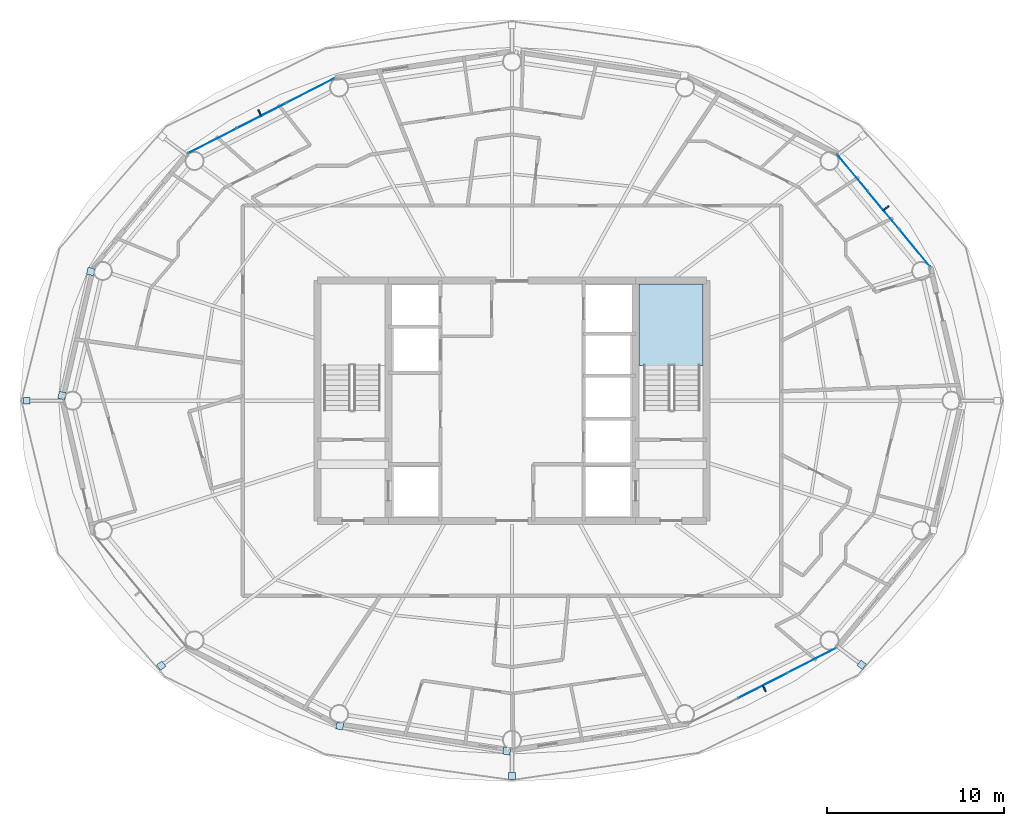
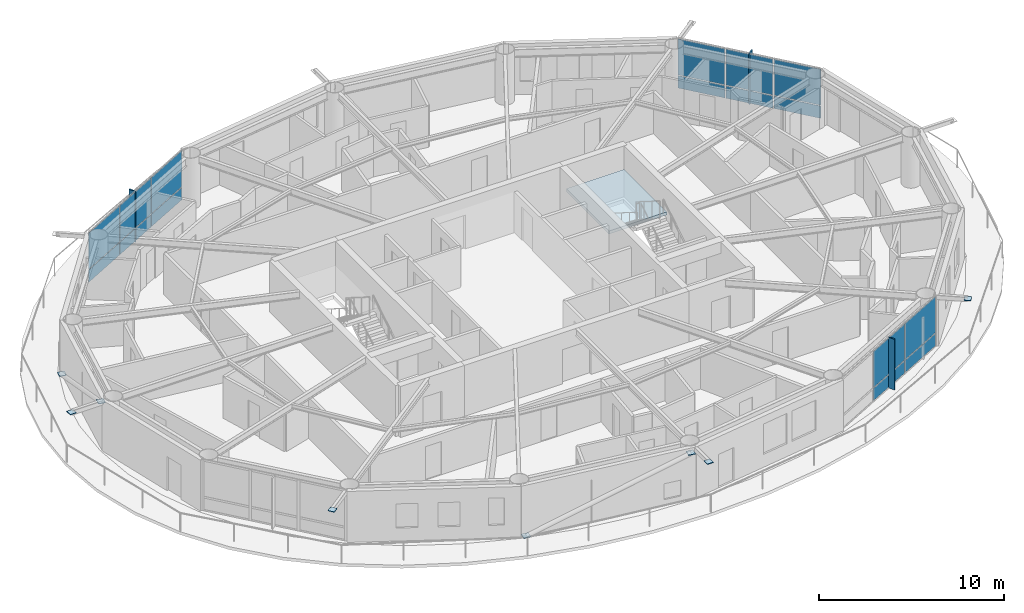
# One storey, part 14 of 23: 27 plates, 1 slab, 4 elements without a shape of their own.
"""IFC4 building model written with IfcOpenShell, lengths in metres."""

from ifc_helpers import new_model, si_unit, direction, frame, origin, origin_2d, place, context, subcontext, project, spatial, polyline, rectangle, outline, extrude, material, layer, layer_set, type_object, element, aggregate, save


model = new_model("IFC4")

# Units and contexts
model_context = context("Model", 3, precision=1e-05, world=origin(), true_north=direction((0.0, 1.0)))
body_context = subcontext(model_context, "Body", "Model", "MODEL_VIEW")
ifc_project = project(units=[si_unit("LENGTHUNIT", "METRE"), si_unit("AREAUNIT", "SQUARE_METRE"), si_unit("VOLUMEUNIT", "CUBIC_METRE"), si_unit("PLANEANGLEUNIT", "RADIAN"), si_unit("MASSUNIT", "GRAM", prefix="KILO")], contexts=[model_context])

# Site, building, storey
site_placement = place(None, origin())
site = spatial("IfcSite", under=ifc_project, at=site_placement, CompositionType="ELEMENT")
building_placement = place(site_placement, origin())
building = spatial("IfcBuilding", under=site, at=building_placement, Name="Sarneth Arch Tower", CompositionType="ELEMENT")
storey_placement = place(building_placement, frame((0.0, 0.0, 235.199951171875)))
storey = spatial("IfcBuildingStorey", under=building, at=storey_placement, Name="L60", CompositionType="ELEMENT", Elevation=235.199951171875)

# Curtain wall, plates
ifc_material_1 = material(Name="Anodised aluminium Type AA25 and solar-control low-e laminated IGU", Category="aluminium")
ifc_layer_1 = layer(ifc_material_1, 0.179931640625)
ifc_layer_set_1 = layer_set([ifc_layer_1], Name="Anodised aluminium Type AA25 and solar-control low-e laminated IGU")
curtain_wall_type = type_object("IfcCurtainWallType", Name="CW-RES-HIGH", PredefinedType="NOTDEFINED", material=ifc_layer_set_1)
curtain_wall_1_placement = place(storey_placement, origin())
curtain_wall_1 = element("IfcCurtainWall", 1, at=curtain_wall_1_placement, inside=storey, type_object=curtain_wall_type, Name="L60 Unitised curtain wall facet 02", PredefinedType="NOTDEFINED")
ifc_material_2 = material(Name="Solar-control low-e laminated IGU", Category="glass")
ifc_layer_2 = layer(ifc_material_2, 0.028076171875)
ifc_layer_set_2 = layer_set([ifc_layer_2], Name="Solar-control low-e laminated IGU")
plate_type_1 = type_object("IfcPlateType", Name="CW-PANEL", PredefinedType="CURTAIN_PANEL", material=ifc_layer_set_2)
plate_1_placement = place(storey_placement, frame((70.799072265625, 50.650634765625, 0.06005859375), z_axis=(0.0, 0.0, 1.0), x_axis=(-0.637610094184, 0.770359245933, 0.0)))
plate_1 = element("IfcPlate", 2, at=plate_1_placement, type_object=plate_type_1, Name="Curtain wall glazed vision pane CW-L60-F02/P00-00", PredefinedType="CURTAIN_PANEL", context=body_context, shape_type="SweptSolid", body=[
    extrude(rectangle(XDim=2.686767578125, YDim=0.028076171875, at=origin_2d()), origin(), (0.0, 0.0, 1.0), 0.81005859375),
])
plate_2_placement = place(storey_placement, frame((70.799072265625, 50.650634765625, 0.929931640625), z_axis=(0.0, 0.0, 1.0), x_axis=(-0.637610094184, 0.770359245933, 0.0)))
plate_2 = element("IfcPlate", 3, at=plate_2_placement, type_object=plate_type_1, Name="Curtain wall glazed vision pane CW-L60-F02/P00-01", PredefinedType="CURTAIN_PANEL", context=body_context, shape_type="SweptSolid", body=[
    extrude(rectangle(XDim=2.686767578125, YDim=0.028076171875, at=origin_2d()), origin(), (0.0, 0.0, 1.0), 2.3701171875),
])
plate_3_placement = place(storey_placement, frame((69.0380859375, 52.778076171875, 0.06005859375), z_axis=(0.0, 0.0, 1.0), x_axis=(-0.637610094184, 0.770359245933, 0.0)))
plate_3 = element("IfcPlate", 4, at=plate_3_placement, type_object=plate_type_1, Name="Curtain wall glazed vision pane CW-L60-F02/P01-00", PredefinedType="CURTAIN_PANEL", context=body_context, shape_type="SweptSolid", body=[
    extrude(rectangle(XDim=2.716552734375, YDim=0.028076171875, at=origin_2d()), origin(), (0.0, 0.0, 1.0), 0.81005859375),
])
plate_4_placement = place(storey_placement, frame((69.0380859375, 52.778076171875, 0.929931640625), z_axis=(0.0, 0.0, 1.0), x_axis=(-0.637610094184, 0.770359245933, 0.0)))
plate_4 = element("IfcPlate", 5, at=plate_4_placement, type_object=plate_type_1, Name="Curtain wall glazed vision pane CW-L60-F02/P01-01", PredefinedType="CURTAIN_PANEL", context=body_context, shape_type="SweptSolid", body=[
    extrude(rectangle(XDim=2.716552734375, YDim=0.028076171875, at=origin_2d()), origin(), (0.0, 0.0, 1.0), 2.3701171875),
])
plate_5_placement = place(storey_placement, frame((67.27734375, 54.905517578125, 0.06005859375), z_axis=(0.0, 0.0, 1.0), x_axis=(-0.637610094184, 0.770359245933, 0.0)))
plate_5 = element("IfcPlate", 6, at=plate_5_placement, type_object=plate_type_1, Name="Curtain wall glazed vision pane CW-L60-F02/P02-00", PredefinedType="CURTAIN_PANEL", context=body_context, shape_type="SweptSolid", body=[
    extrude(rectangle(XDim=2.686767578125, YDim=0.028076171875, at=origin_2d()), origin(), (0.0, 0.0, 1.0), 0.81005859375),
])
plate_6_placement = place(storey_placement, frame((67.27734375, 54.905517578125, 0.929931640625), z_axis=(0.0, 0.0, 1.0), x_axis=(-0.637610094184, 0.770359245933, 0.0)))
plate_6 = element("IfcPlate", 7, at=plate_6_placement, type_object=plate_type_1, Name="Curtain wall glazed vision pane CW-L60-F02/P02-01", PredefinedType="CURTAIN_PANEL", context=body_context, shape_type="SweptSolid", body=[
    extrude(rectangle(XDim=2.686767578125, YDim=0.028076171875, at=origin_2d()), origin(), (0.0, 0.0, 1.0), 2.3701171875),
])
aggregate(curtain_wall_1, [plate_1, plate_2, plate_3, plate_4, plate_5, plate_6])

curtain_wall_2_placement = place(storey_placement, origin())
curtain_wall_2 = element("IfcCurtainWall", 8, at=curtain_wall_2_placement, inside=storey, type_object=curtain_wall_type, Name="L60 Unitised curtain wall facet 06", PredefinedType="NOTDEFINED")
plate_7_placement = place(storey_placement, frame((36.5791015625, 59.552978515625, 0.06005859375), z_axis=(0.0, 0.0, 1.0), x_axis=(-0.890009540525, -0.455941901753, 0.0)))
plate_7 = element("IfcPlate", 9, at=plate_7_placement, type_object=plate_type_1, Name="Curtain wall glazed vision pane CW-L60-F06/P00-00", PredefinedType="CURTAIN_PANEL", context=body_context, shape_type="SweptSolid", body=[
    extrude(rectangle(XDim=3.044677734375, YDim=0.028076171875, at=origin_2d()), origin(), (0.0, 0.0, 1.0), 0.81005859375),
])
plate_8_placement = place(storey_placement, frame((36.5791015625, 59.552978515625, 0.929931640625), z_axis=(0.0, 0.0, 1.0), x_axis=(-0.890009540525, -0.455941901753, 0.0)))
plate_8 = element("IfcPlate", 10, at=plate_8_placement, type_object=plate_type_1, Name="Curtain wall glazed vision pane CW-L60-F06/P00-01", PredefinedType="CURTAIN_PANEL", context=body_context, shape_type="SweptSolid", body=[
    extrude(rectangle(XDim=3.044677734375, YDim=0.028076171875, at=origin_2d()), origin(), (0.0, 0.0, 1.0), 2.3701171875),
])
plate_9_placement = place(storey_placement, frame((33.802490234375, 58.13037109375, 0.06005859375), z_axis=(0.0, 0.0, 1.0), x_axis=(-0.890009540525, -0.455941901753, 0.0)))
plate_9 = element("IfcPlate", 11, at=plate_9_placement, type_object=plate_type_1, Name="Curtain wall glazed vision pane CW-L60-F06/P01-00", PredefinedType="CURTAIN_PANEL", context=body_context, shape_type="SweptSolid", body=[
    extrude(rectangle(XDim=3.07470703125, YDim=0.028076171875, at=origin_2d()), origin(), (0.0, 0.0, 1.0), 0.81005859375),
])
plate_10_placement = place(storey_placement, frame((33.802490234375, 58.13037109375, 0.929931640625), z_axis=(0.0, 0.0, 1.0), x_axis=(-0.890009540525, -0.455941901753, 0.0)))
plate_10 = element("IfcPlate", 12, at=plate_10_placement, type_object=plate_type_1, Name="Curtain wall glazed vision pane CW-L60-F06/P01-01", PredefinedType="CURTAIN_PANEL", context=body_context, shape_type="SweptSolid", body=[
    extrude(rectangle(XDim=3.07470703125, YDim=0.028076171875, at=origin_2d()), origin(), (0.0, 0.0, 1.0), 2.3701171875),
])
plate_11_placement = place(storey_placement, frame((31.02587890625, 56.7080078125, 0.06005859375), z_axis=(0.0, 0.0, 1.0), x_axis=(-0.890009540525, -0.455941901753, 0.0)))
plate_11 = element("IfcPlate", 13, at=plate_11_placement, type_object=plate_type_1, Name="Curtain wall glazed vision pane CW-L60-F06/P02-00", PredefinedType="CURTAIN_PANEL", context=body_context, shape_type="SweptSolid", body=[
    extrude(rectangle(XDim=3.044677734375, YDim=0.028076171875, at=origin_2d()), origin(), (0.0, 0.0, 1.0), 0.81005859375),
])
plate_12_placement = place(storey_placement, frame((31.02587890625, 56.7080078125, 0.929931640625), z_axis=(0.0, 0.0, 1.0), x_axis=(-0.890009540525, -0.455941901753, 0.0)))
plate_12 = element("IfcPlate", 14, at=plate_12_placement, type_object=plate_type_1, Name="Curtain wall glazed vision pane CW-L60-F06/P02-01", PredefinedType="CURTAIN_PANEL", context=body_context, shape_type="SweptSolid", body=[
    extrude(rectangle(XDim=3.044677734375, YDim=0.028076171875, at=origin_2d()), origin(), (0.0, 0.0, 1.0), 2.3701171875),
])
aggregate(curtain_wall_2, [plate_7, plate_8, plate_9, plate_10, plate_11, plate_12])

curtain_wall_3_placement = place(storey_placement, origin())
curtain_wall_3 = element("IfcCurtainWall", 15, at=curtain_wall_3_placement, inside=storey, type_object=curtain_wall_type, Name="L60 Unitised curtain wall facet 14", PredefinedType="NOTDEFINED")
plate_13_placement = place(storey_placement, frame((62.197509765625, 25.86962890625, 0.06005859375), z_axis=(0.0, 0.0, 1.0), x_axis=(0.890009540525, 0.455941901753, 0.0)))
plate_13 = element("IfcPlate", 16, at=plate_13_placement, type_object=plate_type_1, Name="Curtain wall glazed vision pane CW-L60-F14/P01-00", PredefinedType="CURTAIN_PANEL", context=body_context, shape_type="SweptSolid", body=[
    extrude(rectangle(XDim=3.07470703125, YDim=0.028076171875, at=origin_2d()), origin(), (0.0, 0.0, 1.0), 0.81005859375),
])
plate_14_placement = place(storey_placement, frame((62.197509765625, 25.86962890625, 0.929931640625), z_axis=(0.0, 0.0, 1.0), x_axis=(0.890009540525, 0.455941901753, 0.0)))
plate_14 = element("IfcPlate", 17, at=plate_14_placement, type_object=plate_type_1, Name="Curtain wall glazed vision pane CW-L60-F14/P01-01", PredefinedType="CURTAIN_PANEL", context=body_context, shape_type="SweptSolid", body=[
    extrude(rectangle(XDim=3.07470703125, YDim=0.028076171875, at=origin_2d()), origin(), (0.0, 0.0, 1.0), 2.3701171875),
])
plate_15_placement = place(storey_placement, frame((64.97412109375, 27.2919921875, 0.06005859375), z_axis=(0.0, 0.0, 1.0), x_axis=(0.890009540525, 0.455941901753, 0.0)))
plate_15 = element("IfcPlate", 18, at=plate_15_placement, type_object=plate_type_1, Name="Curtain wall glazed vision pane CW-L60-F14/P02-00", PredefinedType="CURTAIN_PANEL", context=body_context, shape_type="SweptSolid", body=[
    extrude(rectangle(XDim=3.044677734375, YDim=0.028076171875, at=origin_2d()), origin(), (0.0, 0.0, 1.0), 0.81005859375),
])
plate_16_placement = place(storey_placement, frame((64.97412109375, 27.2919921875, 0.929931640625), z_axis=(0.0, 0.0, 1.0), x_axis=(0.890009540525, 0.455941901753, 0.0)))
plate_16 = element("IfcPlate", 19, at=plate_16_placement, type_object=plate_type_1, Name="Curtain wall glazed vision pane CW-L60-F14/P02-01", PredefinedType="CURTAIN_PANEL", context=body_context, shape_type="SweptSolid", body=[
    extrude(rectangle(XDim=3.044677734375, YDim=0.028076171875, at=origin_2d()), origin(), (0.0, 0.0, 1.0), 2.3701171875),
])
aggregate(curtain_wall_3, [plate_13, plate_14, plate_15, plate_16])

# Plates
ifc_material_3 = material(Name="Steel S355", Category="steel")
ifc_layer_3 = layer(ifc_material_3, 0.035888671875)
ifc_layer_set_3 = layer_set([ifc_layer_3], Name="Steel S355")
plate_type_2 = type_object("IfcPlateType", Name="PLT-GUSSET-30", PredefinedType="SHEET", material=ifc_layer_set_3)
for number, where, z_axis, x_axis, name in (
    (20, (24.148193359375, 49.3154296875, 0.001953125), (0.0, 0.0, 1.0), (-0.225461202458, -0.974252147129, 0.0), "Steel end cap plate GP-1"),
    (21, (22.5234375, 42.292236328125, 3.0185546875), (0.0, 0.0, 1.0), (-0.225461202458, -0.974252147129, 0.0), "Steel end cap plate GP-1"),
):
    element("IfcPlate", number, at=place(storey_placement, frame(where, z_axis=z_axis, x_axis=x_axis)), inside=storey, type_object=plate_type_2, Name=name, PredefinedType="SHEET", context=body_context, shape_type="SweptSolid", body=[
        extrude(rectangle(XDim=0.404052734375, YDim=0.404052734375, at=origin_2d()), origin(), (0.0, 0.0, 1.0), 0.035888671875),
    ])
for number, where, z_axis, x_axis, name in (
    (22, (20.51953125, 42.0, 3.18212890625), (0.0, 0.0, 1.0), (-1.0, 0.0, 0.0), "Steel end cap plate GP-1"),
    (23, (28.138916015625, 26.999267578125, 3.18212890625), (0.0, 0.0, 1.0), (-0.798004853043, -0.602651022168, 0.0), "Steel end cap plate GP-1"),
):
    element("IfcPlate", number, at=place(storey_placement, frame(where, z_axis=z_axis, x_axis=x_axis)), inside=storey, type_object=plate_type_2, Name=name, PredefinedType="SHEET", context=body_context, shape_type="SweptSolid", body=[
        extrude(rectangle(XDim=0.3798828125, YDim=0.3798828125, at=origin_2d()), origin(), (0.0, 0.0, 1.0), 0.035888671875),
    ])
for number, where, z_axis, x_axis, name in (
    (24, (38.245849609375, 23.588623046875, 0.001953125), (0.0, 0.0, 1.0), (0.988860535448, -0.148845024885, 0.0), "Steel end cap plate GP-1"),
    (25, (47.703369140625, 22.16455078125, 3.0185546875), (0.0, 0.0, 1.0), (0.988860535448, -0.148845024885, 0.0), "Steel end cap plate GP-1"),
):
    element("IfcPlate", number, at=place(storey_placement, frame(where, z_axis=z_axis, x_axis=x_axis)), inside=storey, type_object=plate_type_2, Name=name, PredefinedType="SHEET", context=body_context, shape_type="SweptSolid", body=[
        extrude(rectangle(XDim=0.404052734375, YDim=0.404052734375, at=origin_2d()), origin(), (0.0, 0.0, 1.0), 0.035888671875),
    ])
for number, where, z_axis, x_axis, name in (
    (26, (48.0, 20.747314453125, 3.18212890625), (0.0, 0.0, 1.0), (0.0, -1.0, 0.0), "Steel end cap plate GP-1"),
    (27, (67.800048828125, 27.04541015625, 3.18212890625), (0.0, 0.0, 1.0), (0.798004853043, -0.602651022168, 0.0), "Steel end cap plate GP-1"),
):
    element("IfcPlate", number, at=place(storey_placement, frame(where, z_axis=z_axis, x_axis=x_axis)), inside=storey, type_object=plate_type_2, Name=name, PredefinedType="SHEET", context=body_context, shape_type="SweptSolid", body=[
        extrude(rectangle(XDim=0.3798828125, YDim=0.3798828125, at=origin_2d()), origin(), (0.0, 0.0, 1.0), 0.035888671875),
    ])
ifc_material_4 = material(Name="Extruded glazed terracotta baguette fin on Aluminium 6063-T6 carrier", Category="masonry")
ifc_layer_4 = layer(ifc_material_4, 0.080078125)
ifc_layer_set_4 = layer_set([ifc_layer_4], Name="Extruded glazed terracotta baguette fin on Aluminium 6063-T6 carrier")
plate_type_3 = type_object("IfcPlateType", Name="SHADE-TERRA-FIN", PredefinedType="SHEET", material=ifc_layer_set_4)
for number, where, z_axis, x_axis, name in (
    (28, (69.169189453125, 52.886474609375, 0.009765625), (0.0, 0.0, 1.0), (0.770401979567, 0.63755845997, 0.0), "L60 Terracotta vertical shading fin 02"),
    (29, (33.724853515625, 58.28173828125, 0.009765625), (0.0, 0.0, 1.0), (-0.456010959102, 0.889974159838, 0.0), "L60 Terracotta vertical shading fin 06"),
    (30, (62.275146484375, 25.71826171875, 0.009765625), (0.0, 0.0, 1.0), (0.456010959102, -0.889974159838, 0.0), "L60 Terracotta vertical shading fin 14"),
):
    element("IfcPlate", number, at=place(storey_placement, frame(where, z_axis=z_axis, x_axis=x_axis)), inside=storey, type_object=plate_type_3, Name=name, PredefinedType="SHEET", context=body_context, shape_type="SweptSolid", body=[
        extrude(rectangle(XDim=0.419921875, YDim=0.080078125, at=origin_2d()), origin(), (0.0, 0.0, 1.0), 3.340087890625),
    ])

# Stair, slab
ifc_material_5 = material(Name="Concrete C50/60", Category="concrete")
stair_type = type_object("IfcStairType", Name="STAIR-CORE-RC", PredefinedType="HALF_TURN_STAIR", material=ifc_material_5)
stair_placement = place(storey_placement, origin())
stair = element("IfcStair", 31, at=stair_placement, inside=storey, type_object=stair_type, Name="L60 Core Exit Stair 2", PredefinedType="HALF_TURN_STAIR")
ifc_material_6 = material(Name="Concrete C50/60", Category="concrete")
ifc_layer_5 = layer(ifc_material_6, 0.199951171875)
ifc_layer_set_5 = layer_set([ifc_layer_5], Name="Concrete C50/60")
slab_type = type_object("IfcSlabType", Name="SLAB-LANDING-200", PredefinedType="LANDING", material=ifc_layer_set_5)
slab_placement = place(storey_placement, frame((0.0, 0.0, 1.60009765625)))
slab = element("IfcSlab", 32, at=slab_placement, type_object=slab_type, Name="ST-2 landing 1", PredefinedType="LANDING", context=body_context, shape_type="SweptSolid", body=[
    extrude(outline(polyline([(55.199951171875, 43.985107421875), (58.800048828125, 43.985107421875), (58.800048828125, 48.60009765625), (55.199951171875, 48.60009765625), (55.199951171875, 43.985107421875)])), origin(), (0.0, 0.0, 1.0), 0.199951171875),
])
aggregate(stair, [slab])

save(model, "model.ifc")
